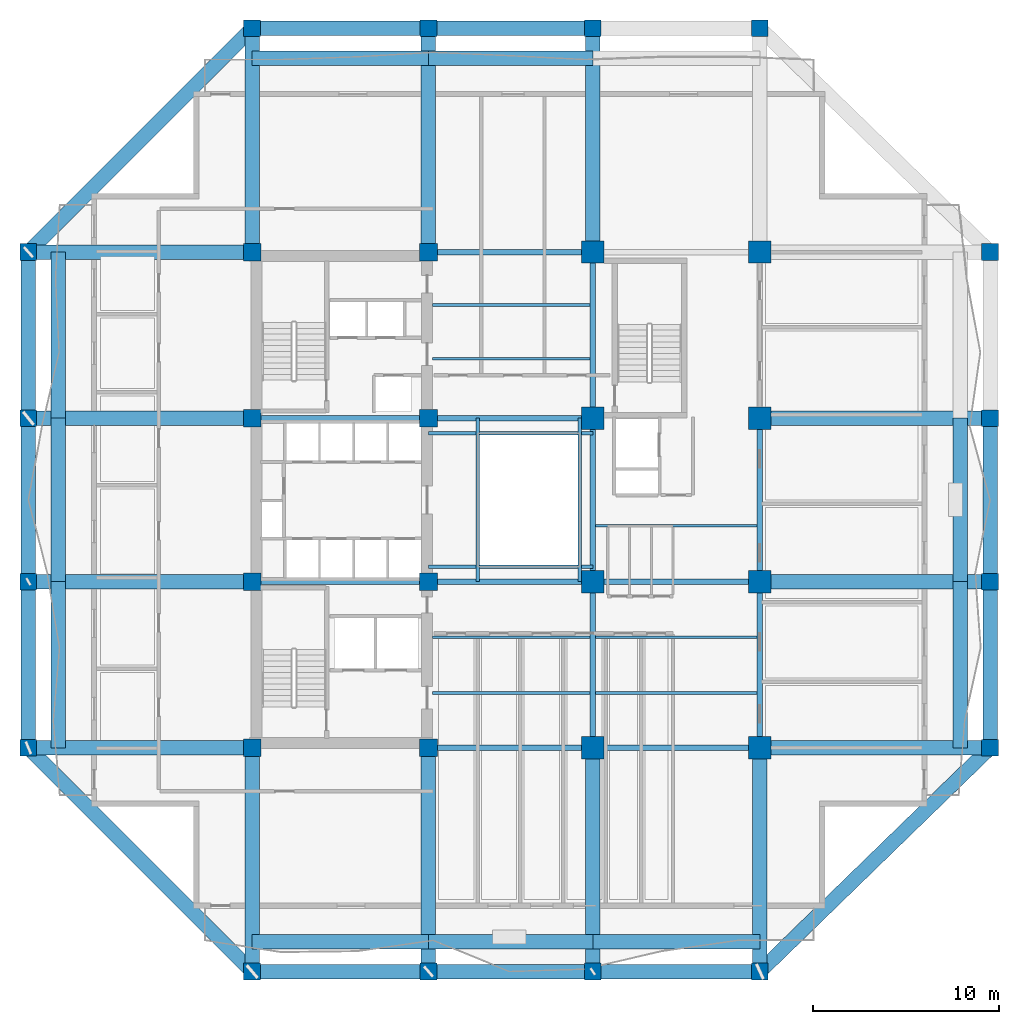
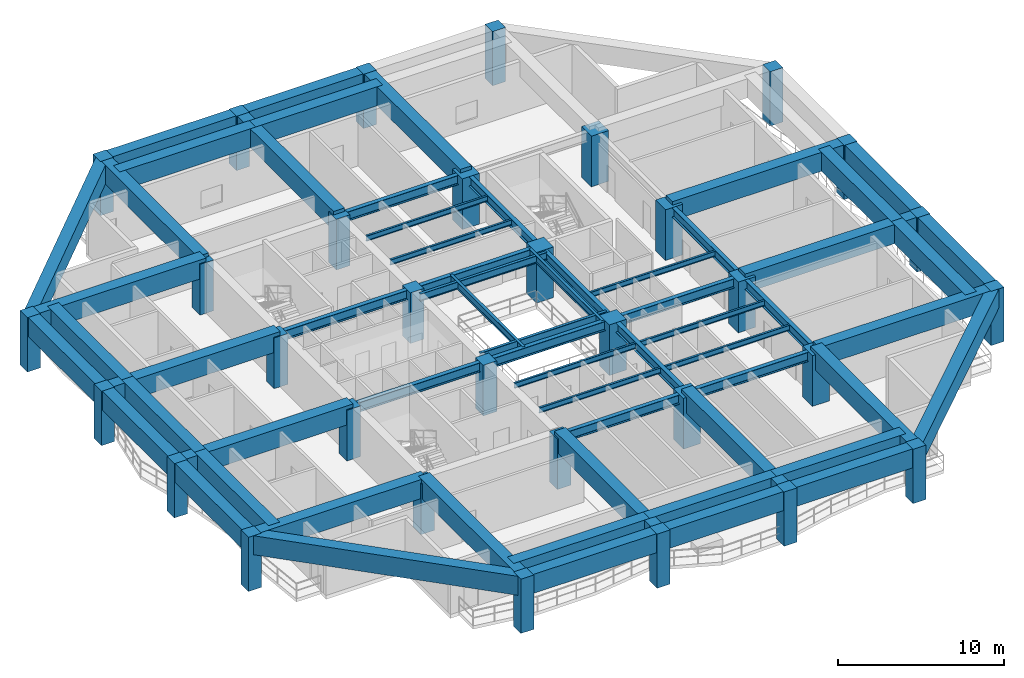
# One storey, part 1 of 13: 61 beams, 32 columns.
"""IFC4 building model written with IfcOpenShell, lengths in metres."""

import ifcopenshell
import ifcopenshell.guid

model = None  # the IFC model being written
_history = None  # IfcOwnerHistory: only IFC2X3 demands one
_inside = {}  # id of a spatial element -> (the spatial element, [elements in it])
_under = {}  # id of a project, library or spatial element -> (it, [spatial elements below it])
_declared = {}  # id of a project -> (the project, [libraries it declares])
_typed = {}  # id of a type object -> (the type object, [elements of that type])
_made_of = {}  # id of a material, layer set ... -> (it, [elements and type objects made of it])


def new_model(schema):
    """Start an empty IFC model of exactly this schema.

    Asked for "IFC4X3", IfcOpenShell would pick the latest addendum, in which some entities
    have other attributes; the version numbers below select the first issue.
    IFC2X3 requires an IfcOwnerHistory on every rooted entity: one is made here for all.
    """
    global model, _history
    if schema == "IFC4X3":
        model = ifcopenshell.file(schema_version=(4, 3, 0, 0))
    else:
        model = ifcopenshell.file(schema=schema)
    _inside.clear()
    _under.clear()
    _declared.clear()
    _typed.clear()
    _made_of.clear()
    _history = None
    if model.schema == "IFC2X3":
        org = make("IfcOrganization", Name="unknown")
        user = make(
            "IfcPersonAndOrganization",
            ThePerson=make("IfcPerson", FamilyName="unknown"),
            TheOrganization=org,
        )
        app = make(
            "IfcApplication",
            ApplicationDeveloper=org,
            Version="unknown",
            ApplicationFullName="unknown",
            ApplicationIdentifier="unknown",
        )
        _history = make(
            "IfcOwnerHistory",
            OwningUser=user,
            OwningApplication=app,
            ChangeAction="ADDED",
            CreationDate=0,
        )
    return model


def make(cls, **values):
    """One entity of the class cls with the attributes given. An attribute that is None is left unset."""
    return model.create_entity(
        cls, **{name: value for name, value in values.items() if value is not None}
    )


def rooted(cls, **values):
    """An entity with a GlobalId (a new one), such as an element, a storey or a relation."""
    return make(cls, GlobalId=ifcopenshell.guid.new(), OwnerHistory=_history, **values)


def si_unit(unit_type, name, prefix=None):
    """IfcSIUnit, for example si_unit("LENGTHUNIT", "METRE", prefix="MILLI")."""
    return make("IfcSIUnit", UnitType=unit_type, Prefix=prefix, Name=name)


def assignment(units):
    """IfcUnitAssignment: the units of a project."""
    return None if units is None else make("IfcUnitAssignment", Units=units)


def point(xyz):
    """IfcCartesianPoint."""
    return None if xyz is None else make("IfcCartesianPoint", Coordinates=xyz)


def direction(xyz):
    """IfcDirection."""
    return None if xyz is None else make("IfcDirection", DirectionRatios=xyz)


def frame(location, z_axis=None, x_axis=None):
    """IfcAxis2Placement3D, a coordinate frame: its origin and axes. An axis left out is left unset."""
    return make(
        "IfcAxis2Placement3D",
        Location=point(location),
        Axis=direction(z_axis),
        RefDirection=direction(x_axis),
    )


def frame_2d(location, x_axis=None):
    """IfcAxis2Placement2D, a coordinate frame in the plane: its origin and x axis."""
    return make(
        "IfcAxis2Placement2D", Location=point(location), RefDirection=direction(x_axis)
    )


def origin():
    """The frame at (0, 0, 0) with its axes left unset."""
    return frame((0.0, 0.0, 0.0))


def origin_2d():
    """The frame at (0, 0) in the plane with its x axis left unset."""
    return frame_2d((0.0, 0.0))


def place(relative_to, where):
    """IfcLocalPlacement: puts the frame where relative to a parent placement (None: the world)."""
    return make(
        "IfcLocalPlacement", PlacementRelTo=relative_to, RelativePlacement=where
    )


def context(
    kind, dimensions, precision=None, world=None, true_north=None, identifier=None
):
    """IfcGeometricRepresentationContext, for example the 3D "Model" context."""
    return make(
        "IfcGeometricRepresentationContext",
        ContextIdentifier=identifier,
        ContextType=kind,
        CoordinateSpaceDimension=dimensions,
        Precision=precision,
        WorldCoordinateSystem=world,
        TrueNorth=true_north,
    )


def subcontext(parent, identifier, kind, view, scale=None):
    """IfcGeometricRepresentationSubContext, for example "Body" below "Model"."""
    return make(
        "IfcGeometricRepresentationSubContext",
        ContextIdentifier=identifier,
        ContextType=kind,
        ParentContext=parent,
        TargetScale=scale,
        TargetView=view,
    )


def project(units=None, contexts=None):
    """IfcProject with its units and contexts."""
    return rooted(
        "IfcProject",
        Name="project",
        RepresentationContexts=contexts,
        UnitsInContext=assignment(units),
    )


def spatial(cls, under=None, at=None, **own):
    """A site, building, storey or space (cls), placed at a placement, below another one or the project."""
    s = rooted(cls, ObjectPlacement=at, **own)
    if under is not None:
        _under.setdefault(under.id(), (under, []))[1].append(s)
    return s


def profile(cls, at=None, kind="AREA", **sizes):
    """A parametric profile (cls). Its sizes go by their IFC names, for example OverallWidth=200.0."""
    return make(cls, ProfileType=kind, Position=at, **sizes)


def rectangle(**sizes):
    """IfcRectangleProfileDef."""
    return profile("IfcRectangleProfileDef", **sizes)


def i_section(**sizes):
    """IfcIShapeProfileDef."""
    return profile("IfcIShapeProfileDef", **sizes)


def extrude(swept, where, along, depth):
    """IfcExtrudedAreaSolid: the profile swept, set in the frame where, extruded along a direction by depth."""
    return make(
        "IfcExtrudedAreaSolid",
        SweptArea=swept,
        Position=where,
        ExtrudedDirection=direction(along),
        Depth=depth,
    )


def shape(context_of_items, identifier, shape_type, items):
    """IfcShapeRepresentation: the items that make up one representation, for example the "Body"."""
    return make(
        "IfcShapeRepresentation",
        ContextOfItems=context_of_items,
        RepresentationIdentifier=identifier,
        RepresentationType=shape_type,
        Items=items,
    )


def material(Name=None, Category=None):
    """IfcMaterial."""
    return make("IfcMaterial", Name=Name, Category=Category)


def material_profile(
    of_material, cross_section, Name=None, Category=None, Priority=None
):
    """IfcMaterialProfile: a cross section and its material."""
    return make(
        "IfcMaterialProfile",
        Name=Name,
        Material=of_material,
        Profile=cross_section,
        Priority=Priority,
        Category=Category,
    )


def profile_set(profiles, Name=None, composite=None):
    """IfcMaterialProfileSet."""
    return make(
        "IfcMaterialProfileSet",
        Name=Name,
        MaterialProfiles=profiles,
        CompositeProfile=composite,
    )


def made_of(thing, what):
    """Note that an element or type object is made of a material, layer set ...; save() writes the relation."""
    if what is not None:
        _made_of.setdefault(what.id(), (what, []))[1].append(thing)
    return thing


def type_object(cls, material=None, **own):
    """A type object (cls), such as IfcWallType, which elements share."""
    return made_of(rooted(cls, **own), material)


def element(
    cls,
    number,
    at=None,
    inside=None,
    cuts=None,
    type_object=None,
    material=None,
    context=None,
    identifier="Body",
    shape_type=None,
    held_by="IfcProductDefinitionShape",
    body=None,
    shapes=None,
    **own,
):
    """One element of the class cls, such as IfcWall. Its Tag is "e" and its number.

    at: its placement. inside: the storey or other place that contains it. cuts: it is an
    opening in that element (IfcRelVoidsElement). A single representation is given by context,
    identifier, shape_type and body (its items); several are given by shapes. held_by: the class
    of the entity that holds the representations. save() writes the other relations.
    """
    e = rooted(cls, Tag="e%d" % number, ObjectPlacement=at, **own)
    if body is not None:
        shapes = [shape(context, identifier, shape_type, body)]
    if shapes is not None:
        e.Representation = make(held_by, Representations=shapes)
    if inside is not None:
        _inside.setdefault(inside.id(), (inside, []))[1].append(e)
    if cuts is not None:
        rooted(
            "IfcRelVoidsElement", RelatingBuildingElement=cuts, RelatedOpeningElement=e
        )
    if type_object is not None:
        _typed.setdefault(type_object.id(), (type_object, []))[1].append(e)
    return made_of(e, material)


def aggregate(whole, parts):
    """IfcRelAggregates: a whole, such as a stair, and the parts it consists of."""
    return rooted("IfcRelAggregates", RelatingObject=whole, RelatedObjects=parts)


def save(model, path):
    """Write the relations noted so far, then the file.

    IfcRelAggregates (storeys below a building ...), IfcRelContainedInSpatialStructure (elements
    in a storey), IfcRelDefinesByType, IfcRelAssociatesMaterial and IfcRelDeclares: one each for
    every whole, place, type object, material and project.
    """
    for whole, parts in _under.values():
        aggregate(whole, parts)
    for where, things in _inside.values():
        rooted(
            "IfcRelContainedInSpatialStructure",
            RelatedElements=things,
            RelatingStructure=where,
        )
    for kind, things in _typed.values():
        rooted("IfcRelDefinesByType", RelatedObjects=things, RelatingType=kind)
    for what, things in _made_of.values():
        rooted("IfcRelAssociatesMaterial", RelatedObjects=things, RelatingMaterial=what)
    for by, libraries in _declared.values():
        rooted("IfcRelDeclares", RelatingContext=by, RelatedDefinitions=libraries)
    model.write(path)


model = new_model("IFC4")

# Units and contexts
model_context = context("Model", 3, precision=1e-05, world=origin(), true_north=direction((0.0, 1.0)))
body_context = subcontext(model_context, "Body", "Model", "MODEL_VIEW")
ifc_project = project(units=[si_unit("LENGTHUNIT", "METRE"), si_unit("AREAUNIT", "SQUARE_METRE"), si_unit("VOLUMEUNIT", "CUBIC_METRE"), si_unit("PLANEANGLEUNIT", "RADIAN"), si_unit("MASSUNIT", "GRAM", prefix="KILO")], contexts=[model_context])

# Site, building, storey
site_placement = place(None, origin())
site = spatial("IfcSite", under=ifc_project, at=site_placement, CompositionType="ELEMENT")
building_placement = place(site_placement, origin())
building = spatial("IfcBuilding", under=site, at=building_placement, Name="Kundavana Baori Tower", CompositionType="ELEMENT")
storey_placement = place(building_placement, frame((0.0, 0.0, 78.0)))
storey = spatial("IfcBuildingStorey", under=building, at=storey_placement, Name="L18", CompositionType="ELEMENT", Elevation=78.0)

# Columns
ifc_material_1 = material(Name="Concrete C60/75", Category="concrete")
ifc_material_profile_1 = material_profile(ifc_material_1, rectangle(XDim=0.89990234375, YDim=0.89990234375, at=origin_2d()), Name="RC PF 900x900")
ifc_profile_set_1 = profile_set([ifc_material_profile_1], Name="Concrete C60/75")
column_type_1 = type_object("IfcColumnType", Name="COL-PF-900", PredefinedType="COLUMN", material=ifc_profile_set_1)
for number, where, z_axis, x_axis, name in (
    (1, (15.449951171875, 3.199951171875, 0.0), (0.0, 0.0, 1.0), (1.0, 0.0, 0.0), "L18 Stone-Clad Perimeter Frame Column PF-S1"),
    (2, (15.449951171875, 54.0, 0.0), (0.0, 0.0, 1.0), (1.0, 0.0, 0.0), "L18 Stone-Clad Perimeter Frame Column PF-N1"),
    (3, (24.949951171875, 3.199951171875, 0.0), (0.0, 0.0, 1.0), (1.0, 0.0, 0.0), "L18 Stone-Clad Perimeter Frame Column PF-S2"),
    (4, (24.949951171875, 54.0, 0.0), (0.0, 0.0, 1.0), (1.0, 0.0, 0.0), "L18 Stone-Clad Perimeter Frame Column PF-N2"),
    (5, (33.800048828125, 3.199951171875, 0.0), (0.0, 0.0, 1.0), (1.0, 0.0, 0.0), "L18 Stone-Clad Perimeter Frame Column PF-S3"),
    (6, (33.800048828125, 54.0, 0.0), (0.0, 0.0, 1.0), (1.0, 0.0, 0.0), "L18 Stone-Clad Perimeter Frame Column PF-N3"),
    (7, (42.800048828125, 3.199951171875, 0.0), (0.0, 0.0, 1.0), (1.0, 0.0, 0.0), "L18 Stone-Clad Perimeter Frame Column PF-S4"),
    (8, (42.800048828125, 54.0, 0.0), (0.0, 0.0, 1.0), (1.0, 0.0, 0.0), "L18 Stone-Clad Perimeter Frame Column PF-N4"),
    (9, (3.39990234375, 15.25, 0.0), (0.0, 0.0, 1.0), (1.0, 0.0, 0.0), "L18 Stone-Clad Perimeter Frame Column PF-W1"),
    (10, (55.199951171875, 15.25, 0.0), (0.0, 0.0, 1.0), (1.0, 0.0, 0.0), "L18 Stone-Clad Perimeter Frame Column PF-E1"),
    (11, (3.39990234375, 24.199951171875, 0.0), (0.0, 0.0, 1.0), (1.0, 0.0, 0.0), "L18 Stone-Clad Perimeter Frame Column PF-W2"),
    (12, (55.199951171875, 24.199951171875, 0.0), (0.0, 0.0, 1.0), (1.0, 0.0, 0.0), "L18 Stone-Clad Perimeter Frame Column PF-E2"),
    (13, (3.39990234375, 33.0, 0.0), (0.0, 0.0, 1.0), (1.0, 0.0, 0.0), "L18 Stone-Clad Perimeter Frame Column PF-W3"),
    (14, (55.199951171875, 33.0, 0.0), (0.0, 0.0, 1.0), (1.0, 0.0, 0.0), "L18 Stone-Clad Perimeter Frame Column PF-E3"),
    (15, (3.39990234375, 41.949951171875, 0.0), (0.0, 0.0, 1.0), (1.0, 0.0, 0.0), "L18 Stone-Clad Perimeter Frame Column PF-W4"),
    (16, (55.199951171875, 41.949951171875, 0.0), (0.0, 0.0, 1.0), (1.0, 0.0, 0.0), "L18 Stone-Clad Perimeter Frame Column PF-E4"),
):
    element("IfcColumn", number, at=place(storey_placement, frame(where, z_axis=z_axis, x_axis=x_axis)), inside=storey, type_object=column_type_1, Name=name, PredefinedType="COLUMN", context=body_context, shape_type="SweptSolid", body=[
        extrude(rectangle(XDim=0.89990234375, YDim=0.89990234375, at=origin_2d()), origin(), (0.0, 0.0, 1.0), 4.0),
    ])
ifc_material_2 = material(Name="Concrete C60/75", Category="concrete")
ifc_material_profile_2 = material_profile(ifc_material_2, rectangle(XDim=1.199951171875, YDim=1.199951171875, at=origin_2d()), Name="RC 1200x1200")
ifc_profile_set_2 = profile_set([ifc_material_profile_2], Name="Concrete C60/75")
column_type_2 = type_object("IfcColumnType", Name="COL-RC-1200", PredefinedType="COLUMN", material=ifc_profile_set_2)
for number, where, z_axis, x_axis, name in (
    (17, (33.800048828125, 15.25, 0.0), (0.0, 0.0, 1.0), (1.0, 0.0, 0.0), "L18 Interior Column IC-5C"),
    (18, (33.800048828125, 24.199951171875, 0.0), (0.0, 0.0, 1.0), (1.0, 0.0, 0.0), "L18 Interior Column IC-5D"),
    (19, (33.800048828125, 33.0, 0.0), (0.0, 0.0, 1.0), (1.0, 0.0, 0.0), "L18 Interior Column IC-5E"),
    (20, (33.800048828125, 41.949951171875, 0.0), (0.0, 0.0, 1.0), (1.0, 0.0, 0.0), "L18 Interior Column IC-5F"),
    (21, (42.800048828125, 15.25, 0.0), (0.0, 0.0, 1.0), (1.0, 0.0, 0.0), "L18 Interior Column IC-6C"),
    (22, (42.800048828125, 24.199951171875, 0.0), (0.0, 0.0, 1.0), (1.0, 0.0, 0.0), "L18 Interior Column IC-6D"),
    (23, (42.800048828125, 33.0, 0.0), (0.0, 0.0, 1.0), (1.0, 0.0, 0.0), "L18 Interior Column IC-6E"),
    (24, (42.800048828125, 41.949951171875, 0.0), (0.0, 0.0, 1.0), (1.0, 0.0, 0.0), "L18 Interior Column IC-6F"),
):
    element("IfcColumn", number, at=place(storey_placement, frame(where, z_axis=z_axis, x_axis=x_axis)), inside=storey, type_object=column_type_2, Name=name, PredefinedType="COLUMN", context=body_context, shape_type="SweptSolid", body=[
        extrude(rectangle(XDim=1.199951171875, YDim=1.199951171875, at=origin_2d()), origin(), (0.0, 0.0, 1.0), 3.739990234375),
    ])
ifc_material_3 = material(Name="Concrete C50/60", Category="concrete")
ifc_material_profile_3 = material_profile(ifc_material_3, rectangle(XDim=0.949951171875, YDim=0.949951171875, at=origin_2d()), Name="RC 950x950")
ifc_profile_set_3 = profile_set([ifc_material_profile_3], Name="Concrete C50/60")
column_type_3 = type_object("IfcColumnType", Name="COL-RC-950", PredefinedType="COLUMN", material=ifc_profile_set_3)
for number, where, z_axis, x_axis, name in (
    (25, (15.449951171875, 15.25, 0.0), (0.0, 0.0, 1.0), (1.0, 0.0, 0.0), "L18 Interior Column IC-3C"),
    (26, (15.449951171875, 24.199951171875, 0.0), (0.0, 0.0, 1.0), (1.0, 0.0, 0.0), "L18 Interior Column IC-3D"),
    (27, (15.449951171875, 33.0, 0.0), (0.0, 0.0, 1.0), (1.0, 0.0, 0.0), "L18 Interior Column IC-3E"),
    (28, (15.449951171875, 41.949951171875, 0.0), (0.0, 0.0, 1.0), (1.0, 0.0, 0.0), "L18 Interior Column IC-3F"),
    (29, (24.949951171875, 15.25, 0.0), (0.0, 0.0, 1.0), (1.0, 0.0, 0.0), "L18 Interior Column IC-4C"),
    (30, (24.949951171875, 24.199951171875, 0.0), (0.0, 0.0, 1.0), (1.0, 0.0, 0.0), "L18 Interior Column IC-4D"),
    (31, (24.949951171875, 33.0, 0.0), (0.0, 0.0, 1.0), (1.0, 0.0, 0.0), "L18 Interior Column IC-4E"),
    (32, (24.949951171875, 41.949951171875, 0.0), (0.0, 0.0, 1.0), (1.0, 0.0, 0.0), "L18 Interior Column IC-4F"),
):
    element("IfcColumn", number, at=place(storey_placement, frame(where, z_axis=z_axis, x_axis=x_axis)), inside=storey, type_object=column_type_3, Name=name, PredefinedType="COLUMN", context=body_context, shape_type="SweptSolid", body=[
        extrude(rectangle(XDim=0.949951171875, YDim=0.949951171875, at=origin_2d()), origin(), (0.0, 0.0, 1.0), 3.739990234375),
    ])

# Beams
ifc_material_4 = material(Name="Structural Steel S355JR", Category="steel")
ifc_material_profile_4 = material_profile(ifc_material_4, i_section(OverallWidth=0.139892578125, OverallDepth=0.39990234375, WebThickness=0.0087890625, FlangeThickness=0.01611328125, FilletRadius=0.013916015625, at=origin_2d()), Name="ISMB 400")
ifc_profile_set_4 = profile_set([ifc_material_profile_4], Name="Structural Steel S355JR")
beam_type_1 = type_object("IfcBeamType", Name="BM-JST-400", PredefinedType="JOIST", material=ifc_profile_set_4)
for number, where, z_axis, x_axis, name in (
    (33, (25.179931640625, 18.199951171875, 3.5400390625), (1.0, 0.0, 0.0), (0.0, 1.0, 0.0), "L18 Central Bay Composite Floor Joist C1"),
    (34, (25.179931640625, 21.199951171875, 3.5400390625), (1.0, 0.0, 0.0), (0.0, 1.0, 0.0), "L18 Central Bay Composite Floor Joist C2"),
    (35, (25.179931640625, 36.199951171875, 3.5400390625), (1.0, 0.0, 0.0), (0.0, 1.0, 0.0), "L18 Central Bay Composite Floor Joist C3"),
    (36, (25.179931640625, 39.10009765625, 3.5400390625), (1.0, 0.0, 0.0), (0.0, 1.0, 0.0), "L18 Central Bay Composite Floor Joist C4"),
):
    element("IfcBeam", number, at=place(storey_placement, frame(where, z_axis=z_axis, x_axis=x_axis)), inside=storey, type_object=beam_type_1, Name=name, PredefinedType="JOIST", context=body_context, shape_type="SweptSolid", body=[
        extrude(i_section(OverallWidth=0.139892578125, OverallDepth=0.39990234375, WebThickness=0.0087890625, FlangeThickness=0.01611328125, FilletRadius=0.013916015625, at=origin_2d()), origin(), (0.0, 0.0, 1.0), 8.469970703125),
    ])
for number, where, z_axis, x_axis, name in (
    (37, (33.949951171875, 18.199951171875, 3.5400390625), (1.0, 0.0, 0.0), (0.0, 1.0, 0.0), "L18 East Bay Composite Floor Joist E1"),
    (38, (33.949951171875, 21.199951171875, 3.5400390625), (1.0, 0.0, 0.0), (0.0, 1.0, 0.0), "L18 East Bay Composite Floor Joist E2"),
    (39, (33.949951171875, 27.199951171875, 3.5400390625), (1.0, 0.0, 0.0), (0.0, 1.0, 0.0), "L18 East Bay Composite Floor Joist E3"),
):
    element("IfcBeam", number, at=place(storey_placement, frame(where, z_axis=z_axis, x_axis=x_axis)), inside=storey, type_object=beam_type_1, Name=name, PredefinedType="JOIST", context=body_context, shape_type="SweptSolid", body=[
        extrude(i_section(OverallWidth=0.139892578125, OverallDepth=0.39990234375, WebThickness=0.0087890625, FlangeThickness=0.01611328125, FilletRadius=0.013916015625, at=origin_2d()), origin(), (0.0, 0.0, 1.0), 8.699951171875),
    ])
ifc_material_5 = material(Name="Structural Steel S355JR", Category="steel")
ifc_material_profile_5 = material_profile(ifc_material_5, i_section(OverallWidth=0.18994140625, OverallDepth=0.550048828125, WebThickness=0.01123046875, FlangeThickness=0.019287109375, FilletRadius=0.01806640625, at=origin_2d()), Name="ISMB 550")
ifc_profile_set_5 = profile_set([ifc_material_profile_5], Name="Structural Steel S355JR")
beam_type_2 = type_object("IfcBeamType", Name="BM-ST-550", PredefinedType="BEAM", material=ifc_profile_set_5)
for number, where, z_axis, x_axis, name in (
    (40, (27.60009765625, 24.199951171875, 3.465087890625), (0.0, 1.0, 0.0), (-1.0, 0.0, 0.0), "L18 Atrium West Edge Beam"),
    (41, (33.10009765625, 24.199951171875, 3.465087890625), (0.0, 1.0, 0.0), (-1.0, 0.0, 0.0), "L18 Atrium East Edge Beam"),
):
    element("IfcBeam", number, at=place(storey_placement, frame(where, z_axis=z_axis, x_axis=x_axis)), inside=storey, type_object=beam_type_2, Name=name, PredefinedType="BEAM", context=body_context, shape_type="SweptSolid", body=[
        extrude(i_section(OverallWidth=0.18994140625, OverallDepth=0.550048828125, WebThickness=0.01123046875, FlangeThickness=0.019287109375, FilletRadius=0.01806640625, at=origin_2d()), origin(), (0.0, 0.0, 1.0), 8.800048828125),
    ])
for number, where, z_axis, x_axis, name in (
    (42, (24.949951171875, 25.0, 3.465087890625), (1.0, 0.0, 0.0), (0.0, 1.0, 0.0), "L18 Atrium South Edge Beam"),
    (43, (24.949951171875, 32.199951171875, 3.465087890625), (1.0, 0.0, 0.0), (0.0, 1.0, 0.0), "L18 Atrium North Edge Beam"),
):
    element("IfcBeam", number, at=place(storey_placement, frame(where, z_axis=z_axis, x_axis=x_axis)), inside=storey, type_object=beam_type_2, Name=name, PredefinedType="BEAM", context=body_context, shape_type="SweptSolid", body=[
        extrude(i_section(OverallWidth=0.18994140625, OverallDepth=0.550048828125, WebThickness=0.01123046875, FlangeThickness=0.019287109375, FilletRadius=0.01806640625, at=origin_2d()), origin(), (0.0, 0.0, 1.0), 8.85009765625),
    ])
ifc_material_6 = material(Name="Structural Steel S355JR", Category="steel")
ifc_material_profile_6 = material_profile(ifc_material_6, i_section(OverallWidth=0.300048828125, OverallDepth=0.699951171875, WebThickness=0.014404296875, FlangeThickness=0.02392578125, FilletRadius=0.02392578125, at=origin_2d()), Name="NPB 700x300x170")
ifc_profile_set_6 = profile_set([ifc_material_profile_6], Name="Structural Steel S355JR")
beam_type_3 = type_object("IfcBeamType", Name="BM-ST-700", PredefinedType="BEAM", material=ifc_profile_set_6)
beam_1_placement = place(storey_placement, frame((24.949951171875, 15.25, 3.389892578125), z_axis=(1.0, 0.0, 0.0), x_axis=(0.0, 1.0, 0.0)))
element("IfcBeam", 44, at=beam_1_placement, inside=storey, type_object=beam_type_3, Name="L18 Primary Grid Girder GX-1-2", PredefinedType="BEAM", context=body_context, shape_type="SweptSolid", body=[
    extrude(i_section(OverallWidth=0.300048828125, OverallDepth=0.699951171875, WebThickness=0.014404296875, FlangeThickness=0.02392578125, FilletRadius=0.02392578125, at=origin_2d()), origin(), (0.0, 0.0, 1.0), 8.85009765625),
])
beam_2_placement = place(storey_placement, frame((33.800048828125, 15.25, 3.389892578125), z_axis=(1.0, 0.0, 0.0), x_axis=(0.0, 1.0, 0.0)))
element("IfcBeam", 45, at=beam_2_placement, inside=storey, type_object=beam_type_3, Name="L18 Primary Grid Girder GX-1-3", PredefinedType="BEAM", context=body_context, shape_type="SweptSolid", body=[
    extrude(i_section(OverallWidth=0.300048828125, OverallDepth=0.699951171875, WebThickness=0.014404296875, FlangeThickness=0.02392578125, FilletRadius=0.02392578125, at=origin_2d()), origin(), (0.0, 0.0, 1.0), 9.0),
])
beam_3_placement = place(storey_placement, frame((15.449951171875, 24.199951171875, 3.389892578125), z_axis=(1.0, 0.0, 0.0), x_axis=(0.0, 1.0, 0.0)))
element("IfcBeam", 46, at=beam_3_placement, inside=storey, type_object=beam_type_3, Name="L18 Primary Grid Girder GX-2-1", PredefinedType="BEAM", context=body_context, shape_type="SweptSolid", body=[
    extrude(i_section(OverallWidth=0.300048828125, OverallDepth=0.699951171875, WebThickness=0.014404296875, FlangeThickness=0.02392578125, FilletRadius=0.02392578125, at=origin_2d()), origin(), (0.0, 0.0, 1.0), 9.5),
])
beam_4_placement = place(storey_placement, frame((24.949951171875, 24.199951171875, 3.389892578125), z_axis=(1.0, 0.0, 0.0), x_axis=(0.0, 1.0, 0.0)))
element("IfcBeam", 47, at=beam_4_placement, inside=storey, type_object=beam_type_3, Name="L18 Primary Grid Girder GX-2-2", PredefinedType="BEAM", context=body_context, shape_type="SweptSolid", body=[
    extrude(i_section(OverallWidth=0.300048828125, OverallDepth=0.699951171875, WebThickness=0.014404296875, FlangeThickness=0.02392578125, FilletRadius=0.02392578125, at=origin_2d()), origin(), (0.0, 0.0, 1.0), 8.85009765625),
])
beam_5_placement = place(storey_placement, frame((33.800048828125, 24.199951171875, 3.389892578125), z_axis=(1.0, 0.0, 0.0), x_axis=(0.0, 1.0, 0.0)))
element("IfcBeam", 48, at=beam_5_placement, inside=storey, type_object=beam_type_3, Name="L18 Primary Grid Girder GX-2-3", PredefinedType="BEAM", context=body_context, shape_type="SweptSolid", body=[
    extrude(i_section(OverallWidth=0.300048828125, OverallDepth=0.699951171875, WebThickness=0.014404296875, FlangeThickness=0.02392578125, FilletRadius=0.02392578125, at=origin_2d()), origin(), (0.0, 0.0, 1.0), 9.0),
])
beam_6_placement = place(storey_placement, frame((15.449951171875, 33.0, 3.389892578125), z_axis=(1.0, 0.0, 0.0), x_axis=(0.0, 1.0, 0.0)))
element("IfcBeam", 49, at=beam_6_placement, inside=storey, type_object=beam_type_3, Name="L18 Primary Grid Girder GX-3-1", PredefinedType="BEAM", context=body_context, shape_type="SweptSolid", body=[
    extrude(i_section(OverallWidth=0.300048828125, OverallDepth=0.699951171875, WebThickness=0.014404296875, FlangeThickness=0.02392578125, FilletRadius=0.02392578125, at=origin_2d()), origin(), (0.0, 0.0, 1.0), 9.5),
])
for number, where, z_axis, x_axis, name in (
    (50, (24.949951171875, 33.0, 3.389892578125), (1.0, 0.0, 0.0), (0.0, 1.0, 0.0), "L18 Primary Grid Girder GX-3-2"),
    (51, (24.949951171875, 41.949951171875, 3.389892578125), (1.0, 0.0, 0.0), (0.0, 1.0, 0.0), "L18 Primary Grid Girder GX-4-2"),
):
    element("IfcBeam", number, at=place(storey_placement, frame(where, z_axis=z_axis, x_axis=x_axis)), inside=storey, type_object=beam_type_3, Name=name, PredefinedType="BEAM", context=body_context, shape_type="SweptSolid", body=[
        extrude(i_section(OverallWidth=0.300048828125, OverallDepth=0.699951171875, WebThickness=0.014404296875, FlangeThickness=0.02392578125, FilletRadius=0.02392578125, at=origin_2d()), origin(), (0.0, 0.0, 1.0), 8.85009765625),
    ])
beam_7_placement = place(storey_placement, frame((33.800048828125, 15.25, 3.389892578125), z_axis=(0.0, 1.0, 0.0), x_axis=(-1.0, 0.0, 0.0)))
element("IfcBeam", 52, at=beam_7_placement, inside=storey, type_object=beam_type_3, Name="L18 Primary Grid Girder GY-3-1", PredefinedType="BEAM", context=body_context, shape_type="SweptSolid", body=[
    extrude(i_section(OverallWidth=0.300048828125, OverallDepth=0.699951171875, WebThickness=0.014404296875, FlangeThickness=0.02392578125, FilletRadius=0.02392578125, at=origin_2d()), origin(), (0.0, 0.0, 1.0), 8.949951171875),
])
beam_8_placement = place(storey_placement, frame((33.800048828125, 24.199951171875, 3.389892578125), z_axis=(0.0, 1.0, 0.0), x_axis=(-1.0, 0.0, 0.0)))
element("IfcBeam", 53, at=beam_8_placement, inside=storey, type_object=beam_type_3, Name="L18 Primary Grid Girder GY-3-2", PredefinedType="BEAM", context=body_context, shape_type="SweptSolid", body=[
    extrude(i_section(OverallWidth=0.300048828125, OverallDepth=0.699951171875, WebThickness=0.014404296875, FlangeThickness=0.02392578125, FilletRadius=0.02392578125, at=origin_2d()), origin(), (0.0, 0.0, 1.0), 8.800048828125),
])
for number, where, z_axis, x_axis, name in (
    (54, (33.800048828125, 33.0, 3.389892578125), (0.0, 1.0, 0.0), (-1.0, 0.0, 0.0), "L18 Primary Grid Girder GY-3-3"),
    (55, (42.800048828125, 15.25, 3.389892578125), (0.0, 1.0, 0.0), (-1.0, 0.0, 0.0), "L18 Primary Grid Girder GY-4-1"),
):
    element("IfcBeam", number, at=place(storey_placement, frame(where, z_axis=z_axis, x_axis=x_axis)), inside=storey, type_object=beam_type_3, Name=name, PredefinedType="BEAM", context=body_context, shape_type="SweptSolid", body=[
        extrude(i_section(OverallWidth=0.300048828125, OverallDepth=0.699951171875, WebThickness=0.014404296875, FlangeThickness=0.02392578125, FilletRadius=0.02392578125, at=origin_2d()), origin(), (0.0, 0.0, 1.0), 8.949951171875),
    ])
beam_9_placement = place(storey_placement, frame((42.800048828125, 24.199951171875, 3.389892578125), z_axis=(0.0, 1.0, 0.0), x_axis=(-1.0, 0.0, 0.0)))
element("IfcBeam", 56, at=beam_9_placement, inside=storey, type_object=beam_type_3, Name="L18 Primary Grid Girder GY-4-2", PredefinedType="BEAM", context=body_context, shape_type="SweptSolid", body=[
    extrude(i_section(OverallWidth=0.300048828125, OverallDepth=0.699951171875, WebThickness=0.014404296875, FlangeThickness=0.02392578125, FilletRadius=0.02392578125, at=origin_2d()), origin(), (0.0, 0.0, 1.0), 8.800048828125),
])
ifc_material_7 = material(Name="Concrete C50/60", Category="concrete")
ifc_material_profile_7 = material_profile(ifc_material_7, rectangle(XDim=0.780029296875, YDim=1.39990234375, at=origin_2d()), Name="BM-TG-2")
ifc_profile_set_7 = profile_set([ifc_material_profile_7], Name="Concrete C50/60")
beam_type_4 = type_object("IfcBeamType", Name="BM-TG-2", PredefinedType="USERDEFINED", material=ifc_profile_set_7)
beam_10_placement = place(storey_placement, frame((15.449951171875, 3.199951171875, 3.300048828125), z_axis=(1.0, 0.0, 0.0), x_axis=(0.0, 1.0, 0.0)))
element("IfcBeam", 57, at=beam_10_placement, inside=storey, type_object=beam_type_4, Name="L18 Perimeter Frame Ring Beam S1", ObjectType="TRANSFER GIRDER", PredefinedType="USERDEFINED", context=body_context, shape_type="SweptSolid", body=[
    extrude(rectangle(XDim=0.780029296875, YDim=1.39990234375, at=origin_2d()), origin(), (0.0, 0.0, 1.0), 9.5),
])
beam_11_placement = place(storey_placement, frame((24.949951171875, 3.199951171875, 3.300048828125), z_axis=(1.0, 0.0, 0.0), x_axis=(0.0, 1.0, 0.0)))
element("IfcBeam", 58, at=beam_11_placement, inside=storey, type_object=beam_type_4, Name="L18 Perimeter Frame Ring Beam S2", ObjectType="TRANSFER GIRDER", PredefinedType="USERDEFINED", context=body_context, shape_type="SweptSolid", body=[
    extrude(rectangle(XDim=0.780029296875, YDim=1.39990234375, at=origin_2d()), origin(), (0.0, 0.0, 1.0), 8.85009765625),
])
beam_12_placement = place(storey_placement, frame((33.800048828125, 3.199951171875, 3.300048828125), z_axis=(1.0, 0.0, 0.0), x_axis=(0.0, 1.0, 0.0)))
element("IfcBeam", 59, at=beam_12_placement, inside=storey, type_object=beam_type_4, Name="L18 Perimeter Frame Ring Beam S3", ObjectType="TRANSFER GIRDER", PredefinedType="USERDEFINED", context=body_context, shape_type="SweptSolid", body=[
    extrude(rectangle(XDim=0.780029296875, YDim=1.39990234375, at=origin_2d()), origin(), (0.0, 0.0, 1.0), 9.0),
])
beam_13_placement = place(storey_placement, frame((15.449951171875, 54.0, 3.300048828125), z_axis=(1.0, 0.0, 0.0), x_axis=(0.0, 1.0, 0.0)))
element("IfcBeam", 60, at=beam_13_placement, inside=storey, type_object=beam_type_4, Name="L18 Perimeter Frame Ring Beam N1", ObjectType="TRANSFER GIRDER", PredefinedType="USERDEFINED", context=body_context, shape_type="SweptSolid", body=[
    extrude(rectangle(XDim=0.780029296875, YDim=1.39990234375, at=origin_2d()), origin(), (0.0, 0.0, 1.0), 9.5),
])
beam_14_placement = place(storey_placement, frame((24.949951171875, 54.0, 3.300048828125), z_axis=(1.0, 0.0, 0.0), x_axis=(0.0, 1.0, 0.0)))
element("IfcBeam", 61, at=beam_14_placement, inside=storey, type_object=beam_type_4, Name="L18 Perimeter Frame Ring Beam N2", ObjectType="TRANSFER GIRDER", PredefinedType="USERDEFINED", context=body_context, shape_type="SweptSolid", body=[
    extrude(rectangle(XDim=0.780029296875, YDim=1.39990234375, at=origin_2d()), origin(), (0.0, 0.0, 1.0), 8.85009765625),
])
beam_15_placement = place(storey_placement, frame((3.39990234375, 15.25, 3.300048828125), z_axis=(0.0, 1.0, 0.0), x_axis=(-1.0, 0.0, 0.0)))
element("IfcBeam", 62, at=beam_15_placement, inside=storey, type_object=beam_type_4, Name="L18 Perimeter Frame Ring Beam W1", ObjectType="TRANSFER GIRDER", PredefinedType="USERDEFINED", context=body_context, shape_type="SweptSolid", body=[
    extrude(rectangle(XDim=0.780029296875, YDim=1.39990234375, at=origin_2d()), origin(), (0.0, 0.0, 1.0), 8.949951171875),
])
beam_16_placement = place(storey_placement, frame((3.39990234375, 24.199951171875, 3.300048828125), z_axis=(0.0, 1.0, 0.0), x_axis=(-1.0, 0.0, 0.0)))
element("IfcBeam", 63, at=beam_16_placement, inside=storey, type_object=beam_type_4, Name="L18 Perimeter Frame Ring Beam W2", ObjectType="TRANSFER GIRDER", PredefinedType="USERDEFINED", context=body_context, shape_type="SweptSolid", body=[
    extrude(rectangle(XDim=0.780029296875, YDim=1.39990234375, at=origin_2d()), origin(), (0.0, 0.0, 1.0), 8.800048828125),
])
for number, where, z_axis, x_axis, name in (
    (64, (3.39990234375, 33.0, 3.300048828125), (0.0, 1.0, 0.0), (-1.0, 0.0, 0.0), "L18 Perimeter Frame Ring Beam W3"),
    (65, (55.199951171875, 15.25, 3.300048828125), (0.0, 1.0, 0.0), (-1.0, 0.0, 0.0), "L18 Perimeter Frame Ring Beam E1"),
):
    element("IfcBeam", number, at=place(storey_placement, frame(where, z_axis=z_axis, x_axis=x_axis)), inside=storey, type_object=beam_type_4, Name=name, ObjectType="TRANSFER GIRDER", PredefinedType="USERDEFINED", context=body_context, shape_type="SweptSolid", body=[
        extrude(rectangle(XDim=0.780029296875, YDim=1.39990234375, at=origin_2d()), origin(), (0.0, 0.0, 1.0), 8.949951171875),
    ])
beam_17_placement = place(storey_placement, frame((55.199951171875, 24.199951171875, 3.300048828125), z_axis=(0.0, 1.0, 0.0), x_axis=(-1.0, 0.0, 0.0)))
element("IfcBeam", 66, at=beam_17_placement, inside=storey, type_object=beam_type_4, Name="L18 Perimeter Frame Ring Beam E2", ObjectType="TRANSFER GIRDER", PredefinedType="USERDEFINED", context=body_context, shape_type="SweptSolid", body=[
    extrude(rectangle(XDim=0.780029296875, YDim=1.39990234375, at=origin_2d()), origin(), (0.0, 0.0, 1.0), 8.800048828125),
])
beam_18_placement = place(storey_placement, frame((15.449951171875, 3.199951171875, 3.300048828125), z_axis=(-0.707106781187, 0.707106781187, 0.0), x_axis=(-0.707106781187, -0.707106781187, 0.0)))
element("IfcBeam", 67, at=beam_18_placement, inside=storey, type_object=beam_type_4, Name="L18 Notched Corner Perimeter Beam SW", ObjectType="TRANSFER GIRDER", PredefinedType="USERDEFINED", context=body_context, shape_type="SweptSolid", body=[
    extrude(rectangle(XDim=0.780029296875, YDim=1.39990234375, at=origin_2d()), origin(), (0.0, 0.0, 1.0), 17.041259765625),
])
beam_19_placement = place(storey_placement, frame((42.800048828125, 3.199951171875, 3.300048828125), z_axis=(0.717151334594, 0.696917472367, 0.0), x_axis=(-0.696917472367, 0.717151334594, 0.0)))
element("IfcBeam", 68, at=beam_19_placement, inside=storey, type_object=beam_type_4, Name="L18 Notched Corner Perimeter Beam SE", ObjectType="TRANSFER GIRDER", PredefinedType="USERDEFINED", context=body_context, shape_type="SweptSolid", body=[
    extrude(rectangle(XDim=0.780029296875, YDim=1.39990234375, at=origin_2d()), origin(), (0.0, 0.0, 1.0), 17.29052734375),
])
beam_20_placement = place(storey_placement, frame((15.449951171875, 54.0, 3.300048828125), z_axis=(-0.707106781187, -0.707106781187, 0.0), x_axis=(0.707106781187, -0.707106781187, 0.0)))
element("IfcBeam", 69, at=beam_20_placement, inside=storey, type_object=beam_type_4, Name="L18 Notched Corner Perimeter Beam NW", ObjectType="TRANSFER GIRDER", PredefinedType="USERDEFINED", context=body_context, shape_type="SweptSolid", body=[
    extrude(rectangle(XDim=0.780029296875, YDim=1.39990234375, at=origin_2d()), origin(), (0.0, 0.0, 1.0), 17.041259765625),
])
for number, where, z_axis, x_axis, name in (
    (70, (15.449951171875, 15.25, 3.300048828125), (0.0, -1.0, 0.0), (1.0, 0.0, 0.0), "L18 South Radial Transfer Girder S1"),
    (71, (15.449951171875, 41.949951171875, 3.300048828125), (0.0, 1.0, 0.0), (-1.0, 0.0, 0.0), "L18 North Radial Transfer Girder N1"),
    (72, (24.949951171875, 15.25, 3.300048828125), (0.0, -1.0, 0.0), (1.0, 0.0, 0.0), "L18 South Radial Transfer Girder S2"),
    (73, (24.949951171875, 41.949951171875, 3.300048828125), (0.0, 1.0, 0.0), (-1.0, 0.0, 0.0), "L18 North Radial Transfer Girder N2"),
    (74, (33.800048828125, 15.25, 3.300048828125), (0.0, -1.0, 0.0), (1.0, 0.0, 0.0), "L18 South Radial Transfer Girder S3"),
    (75, (33.800048828125, 41.949951171875, 3.300048828125), (0.0, 1.0, 0.0), (-1.0, 0.0, 0.0), "L18 North Radial Transfer Girder N3"),
    (76, (42.800048828125, 15.25, 3.300048828125), (0.0, -1.0, 0.0), (1.0, 0.0, 0.0), "L18 South Radial Transfer Girder S4"),
    (77, (15.449951171875, 15.25, 3.300048828125), (-1.0, 0.0, 0.0), (0.0, -1.0, 0.0), "L18 West Radial Transfer Girder W1"),
):
    element("IfcBeam", number, at=place(storey_placement, frame(where, z_axis=z_axis, x_axis=x_axis)), inside=storey, type_object=beam_type_4, Name=name, ObjectType="TRANSFER GIRDER", PredefinedType="USERDEFINED", context=body_context, shape_type="SweptSolid", body=[
        extrude(rectangle(XDim=0.780029296875, YDim=1.39990234375, at=origin_2d()), origin(), (0.0, 0.0, 1.0), 12.050048828125),
    ])
beam_21_placement = place(storey_placement, frame((42.800048828125, 15.25, 3.300048828125), z_axis=(1.0, 0.0, 0.0), x_axis=(0.0, 1.0, 0.0)))
element("IfcBeam", 78, at=beam_21_placement, inside=storey, type_object=beam_type_4, Name="L18 East Radial Transfer Girder E1", ObjectType="TRANSFER GIRDER", PredefinedType="USERDEFINED", context=body_context, shape_type="SweptSolid", body=[
    extrude(rectangle(XDim=0.780029296875, YDim=1.39990234375, at=origin_2d()), origin(), (0.0, 0.0, 1.0), 12.39990234375),
])
beam_22_placement = place(storey_placement, frame((15.449951171875, 24.199951171875, 3.300048828125), z_axis=(-1.0, 0.0, 0.0), x_axis=(0.0, -1.0, 0.0)))
element("IfcBeam", 79, at=beam_22_placement, inside=storey, type_object=beam_type_4, Name="L18 West Radial Transfer Girder W2", ObjectType="TRANSFER GIRDER", PredefinedType="USERDEFINED", context=body_context, shape_type="SweptSolid", body=[
    extrude(rectangle(XDim=0.780029296875, YDim=1.39990234375, at=origin_2d()), origin(), (0.0, 0.0, 1.0), 12.050048828125),
])
beam_23_placement = place(storey_placement, frame((42.800048828125, 24.199951171875, 3.300048828125), z_axis=(1.0, 0.0, 0.0), x_axis=(0.0, 1.0, 0.0)))
element("IfcBeam", 80, at=beam_23_placement, inside=storey, type_object=beam_type_4, Name="L18 East Radial Transfer Girder E2", ObjectType="TRANSFER GIRDER", PredefinedType="USERDEFINED", context=body_context, shape_type="SweptSolid", body=[
    extrude(rectangle(XDim=0.780029296875, YDim=1.39990234375, at=origin_2d()), origin(), (0.0, 0.0, 1.0), 12.39990234375),
])
beam_24_placement = place(storey_placement, frame((15.449951171875, 33.0, 3.300048828125), z_axis=(-1.0, 0.0, 0.0), x_axis=(0.0, -1.0, 0.0)))
element("IfcBeam", 81, at=beam_24_placement, inside=storey, type_object=beam_type_4, Name="L18 West Radial Transfer Girder W3", ObjectType="TRANSFER GIRDER", PredefinedType="USERDEFINED", context=body_context, shape_type="SweptSolid", body=[
    extrude(rectangle(XDim=0.780029296875, YDim=1.39990234375, at=origin_2d()), origin(), (0.0, 0.0, 1.0), 12.050048828125),
])
beam_25_placement = place(storey_placement, frame((42.800048828125, 33.0, 3.300048828125), z_axis=(1.0, 0.0, 0.0), x_axis=(0.0, 1.0, 0.0)))
element("IfcBeam", 82, at=beam_25_placement, inside=storey, type_object=beam_type_4, Name="L18 East Radial Transfer Girder E3", ObjectType="TRANSFER GIRDER", PredefinedType="USERDEFINED", context=body_context, shape_type="SweptSolid", body=[
    extrude(rectangle(XDim=0.780029296875, YDim=1.39990234375, at=origin_2d()), origin(), (0.0, 0.0, 1.0), 12.39990234375),
])
beam_26_placement = place(storey_placement, frame((15.449951171875, 41.949951171875, 3.300048828125), z_axis=(-1.0, 0.0, 0.0), x_axis=(0.0, -1.0, 0.0)))
element("IfcBeam", 83, at=beam_26_placement, inside=storey, type_object=beam_type_4, Name="L18 West Radial Transfer Girder W4", ObjectType="TRANSFER GIRDER", PredefinedType="USERDEFINED", context=body_context, shape_type="SweptSolid", body=[
    extrude(rectangle(XDim=0.780029296875, YDim=1.39990234375, at=origin_2d()), origin(), (0.0, 0.0, 1.0), 12.050048828125),
])
beam_27_placement = place(storey_placement, frame((15.449951171875, 4.800048828125, 3.300048828125), z_axis=(1.0, 0.0, 0.0), x_axis=(0.0, 1.0, 0.0)))
element("IfcBeam", 84, at=beam_27_placement, inside=storey, type_object=beam_type_4, Name="L18 Setback Collar Transfer Girder S1", ObjectType="TRANSFER GIRDER", PredefinedType="USERDEFINED", context=body_context, shape_type="SweptSolid", body=[
    extrude(rectangle(XDim=0.780029296875, YDim=1.39990234375, at=origin_2d()), origin(), (0.0, 0.0, 1.0), 9.5),
])
beam_28_placement = place(storey_placement, frame((24.949951171875, 4.800048828125, 3.300048828125), z_axis=(1.0, 0.0, 0.0), x_axis=(0.0, 1.0, 0.0)))
element("IfcBeam", 85, at=beam_28_placement, inside=storey, type_object=beam_type_4, Name="L18 Setback Collar Transfer Girder S2", ObjectType="TRANSFER GIRDER", PredefinedType="USERDEFINED", context=body_context, shape_type="SweptSolid", body=[
    extrude(rectangle(XDim=0.780029296875, YDim=1.39990234375, at=origin_2d()), origin(), (0.0, 0.0, 1.0), 8.85009765625),
])
beam_29_placement = place(storey_placement, frame((33.800048828125, 4.800048828125, 3.300048828125), z_axis=(1.0, 0.0, 0.0), x_axis=(0.0, 1.0, 0.0)))
element("IfcBeam", 86, at=beam_29_placement, inside=storey, type_object=beam_type_4, Name="L18 Setback Collar Transfer Girder S3", ObjectType="TRANSFER GIRDER", PredefinedType="USERDEFINED", context=body_context, shape_type="SweptSolid", body=[
    extrude(rectangle(XDim=0.780029296875, YDim=1.39990234375, at=origin_2d()), origin(), (0.0, 0.0, 1.0), 9.0),
])
beam_30_placement = place(storey_placement, frame((15.449951171875, 52.39990234375, 3.300048828125), z_axis=(1.0, 0.0, 0.0), x_axis=(0.0, 1.0, 0.0)))
element("IfcBeam", 87, at=beam_30_placement, inside=storey, type_object=beam_type_4, Name="L18 Setback Collar Transfer Girder N1", ObjectType="TRANSFER GIRDER", PredefinedType="USERDEFINED", context=body_context, shape_type="SweptSolid", body=[
    extrude(rectangle(XDim=0.780029296875, YDim=1.39990234375, at=origin_2d()), origin(), (0.0, 0.0, 1.0), 9.5),
])
beam_31_placement = place(storey_placement, frame((24.949951171875, 52.39990234375, 3.300048828125), z_axis=(1.0, 0.0, 0.0), x_axis=(0.0, 1.0, 0.0)))
element("IfcBeam", 88, at=beam_31_placement, inside=storey, type_object=beam_type_4, Name="L18 Setback Collar Transfer Girder N2", ObjectType="TRANSFER GIRDER", PredefinedType="USERDEFINED", context=body_context, shape_type="SweptSolid", body=[
    extrude(rectangle(XDim=0.780029296875, YDim=1.39990234375, at=origin_2d()), origin(), (0.0, 0.0, 1.0), 8.85009765625),
])
beam_32_placement = place(storey_placement, frame((5.0, 15.25, 3.300048828125), z_axis=(0.0, 1.0, 0.0), x_axis=(-1.0, 0.0, 0.0)))
element("IfcBeam", 89, at=beam_32_placement, inside=storey, type_object=beam_type_4, Name="L18 Setback Collar Transfer Girder W1", ObjectType="TRANSFER GIRDER", PredefinedType="USERDEFINED", context=body_context, shape_type="SweptSolid", body=[
    extrude(rectangle(XDim=0.780029296875, YDim=1.39990234375, at=origin_2d()), origin(), (0.0, 0.0, 1.0), 8.949951171875),
])
beam_33_placement = place(storey_placement, frame((5.0, 24.199951171875, 3.300048828125), z_axis=(0.0, 1.0, 0.0), x_axis=(-1.0, 0.0, 0.0)))
element("IfcBeam", 90, at=beam_33_placement, inside=storey, type_object=beam_type_4, Name="L18 Setback Collar Transfer Girder W2", ObjectType="TRANSFER GIRDER", PredefinedType="USERDEFINED", context=body_context, shape_type="SweptSolid", body=[
    extrude(rectangle(XDim=0.780029296875, YDim=1.39990234375, at=origin_2d()), origin(), (0.0, 0.0, 1.0), 8.800048828125),
])
for number, where, z_axis, x_axis, name in (
    (91, (5.0, 33.0, 3.300048828125), (0.0, 1.0, 0.0), (-1.0, 0.0, 0.0), "L18 Setback Collar Transfer Girder W3"),
    (92, (53.60009765625, 15.25, 3.300048828125), (0.0, 1.0, 0.0), (-1.0, 0.0, 0.0), "L18 Setback Collar Transfer Girder E1"),
):
    element("IfcBeam", number, at=place(storey_placement, frame(where, z_axis=z_axis, x_axis=x_axis)), inside=storey, type_object=beam_type_4, Name=name, ObjectType="TRANSFER GIRDER", PredefinedType="USERDEFINED", context=body_context, shape_type="SweptSolid", body=[
        extrude(rectangle(XDim=0.780029296875, YDim=1.39990234375, at=origin_2d()), origin(), (0.0, 0.0, 1.0), 8.949951171875),
    ])
beam_34_placement = place(storey_placement, frame((53.60009765625, 24.199951171875, 3.300048828125), z_axis=(0.0, 1.0, 0.0), x_axis=(-1.0, 0.0, 0.0)))
element("IfcBeam", 93, at=beam_34_placement, inside=storey, type_object=beam_type_4, Name="L18 Setback Collar Transfer Girder E2", ObjectType="TRANSFER GIRDER", PredefinedType="USERDEFINED", context=body_context, shape_type="SweptSolid", body=[
    extrude(rectangle(XDim=0.780029296875, YDim=1.39990234375, at=origin_2d()), origin(), (0.0, 0.0, 1.0), 8.800048828125),
])

save(model, "model.ifc")
